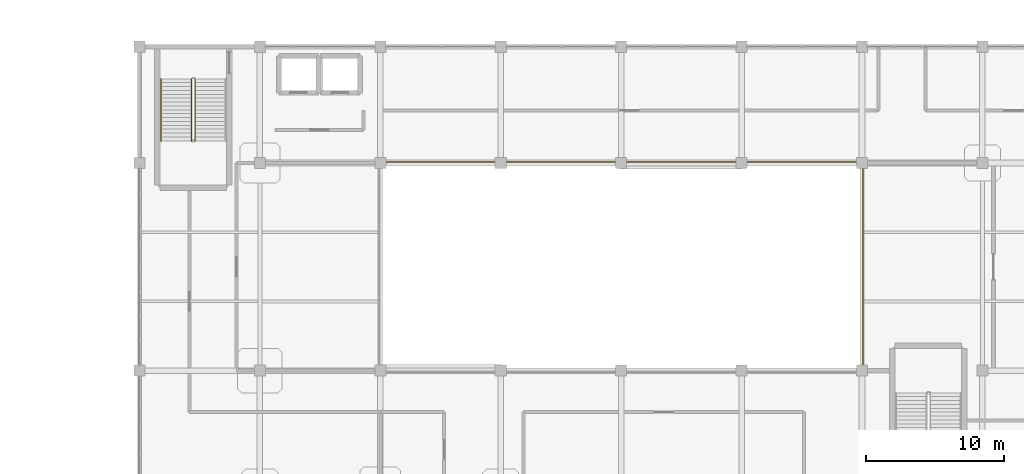
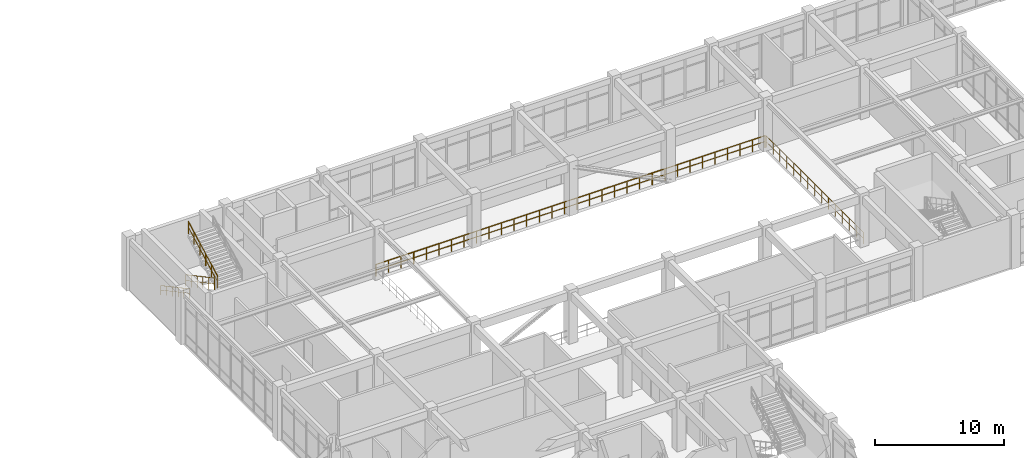
# One storey, part 92 of 96: 5 railings.
"""IFC4 building model written with IfcOpenShell, lengths in metres."""

from ifc_helpers import new_model, si_unit, derived_unit, direction, frame, origin, origin_2d, place, context, subcontext, project, spatial, circle, extrude, material, type_object, element, save


model = new_model("IFC4")

# Units and contexts
model_context = context("Model", 3, precision=1e-05, world=origin(), true_north=direction((0.0, 1.0)))
body_context = subcontext(model_context, "Body", "Model", "MODEL_VIEW")
ifc_project = project(units=[si_unit("LENGTHUNIT", "METRE"), si_unit("AREAUNIT", "SQUARE_METRE"), si_unit("VOLUMEUNIT", "CUBIC_METRE"), si_unit("PLANEANGLEUNIT", "RADIAN"), si_unit("MASSUNIT", "GRAM", prefix="KILO"), derived_unit("THERMALTRANSMITTANCEUNIT", [(si_unit("MASSUNIT", "GRAM", prefix="KILO"), 1), (si_unit("TIMEUNIT", "SECOND"), -3), (si_unit("THERMODYNAMICTEMPERATUREUNIT", "KELVIN"), -1)])], contexts=[model_context])

# Site, building, storey
site_placement = place(None, origin())
site = spatial("IfcSite", under=ifc_project, at=site_placement, CompositionType="ELEMENT")
building_placement = place(site_placement, origin())
building = spatial("IfcBuilding", under=site, at=building_placement, Name="Qinzheling Arcade Emporium", CompositionType="ELEMENT")
storey_placement = place(building_placement, frame((0.0, 0.0, 21.60009765625)))
storey = spatial("IfcBuildingStorey", under=building, at=storey_placement, Name="L05", CompositionType="ELEMENT", Elevation=21.60009765625)

# Railings
ifc_material_1 = material(Name="Galvanised powder-coated tubular steel", Category="steel")
railing_type_1 = type_object("IfcRailingType", Name="Painted Steel Stairwell Guard Railing 1150", PredefinedType="GUARDRAIL", material=ifc_material_1)
railing_1_placement = place(storey_placement, frame((38.570068359375, 71.47998046875, 0.14990234375)))
element("IfcRailing", 1, at=railing_1_placement, inside=storey, type_object=railing_type_1, Name="L05 ST03 stair guard 1", PredefinedType="GUARDRAIL", context=body_context, shape_type="SweptSolid", body=[
    extrude(circle(Radius=0.02392578125, at=origin_2d()), frame((0.0, 0.0, 1.1259765625), z_axis=(0.0, -0.881487111273, 0.472208081951), x_axis=(1.0, 0.0, 0.0)), (0.0, 0.0, 1.0), 5.082275390625),
    extrude(circle(Radius=0.01611328125, at=origin_2d()), frame((0.0, 0.0, 0.574951171875), z_axis=(0.0, -0.881487111273, 0.472208081951), x_axis=(1.0, 0.0, 0.0)), (0.0, 0.0, 1.0), 5.082275390625),
    extrude(circle(Radius=0.02099609375, at=origin_2d()), origin(), (0.0, 0.0, 1.0), 1.101806640625),
    extrude(circle(Radius=0.02099609375, at=origin_2d()), frame((0.0, -0.89599609375, 0.47998046875)), (0.0, 0.0, 1.0), 1.101806640625),
    extrude(circle(Radius=0.02099609375, at=origin_2d()), frame((0.0, -1.7919921875, 0.9599609375)), (0.0, 0.0, 1.0), 1.101806640625),
    extrude(circle(Radius=0.02099609375, at=origin_2d()), frame((0.0, -2.68798828125, 1.43994140625)), (0.0, 0.0, 1.0), 1.101806640625),
    extrude(circle(Radius=0.02099609375, at=origin_2d()), frame((0.0, -3.583984375, 1.919921875)), (0.0, 0.0, 1.0), 1.101806640625),
    extrude(circle(Radius=0.02099609375, at=origin_2d()), frame((0.0, -4.47998046875, 2.39990234375)), (0.0, 0.0, 1.0), 1.101806640625),
])
railing_2_placement = place(storey_placement, frame((38.820068359375, 67.0, 2.699951171875)))
element("IfcRailing", 2, at=railing_2_placement, inside=storey, type_object=railing_type_1, Name="L05 ST03 stair guard 3", PredefinedType="GUARDRAIL", context=body_context, shape_type="SweptSolid", body=[
    extrude(circle(Radius=0.02392578125, at=origin_2d()), frame((0.0, 0.0, 1.1259765625), z_axis=(0.0, 0.881487111273, 0.472208081951), x_axis=(-1.0, 0.0, 0.0)), (0.0, 0.0, 1.0), 5.082275390625),
    extrude(circle(Radius=0.01611328125, at=origin_2d()), frame((0.0, 0.0, 0.574951171875), z_axis=(0.0, 0.881487111273, 0.472208081951), x_axis=(-1.0, 0.0, 0.0)), (0.0, 0.0, 1.0), 5.082275390625),
    extrude(circle(Radius=0.02099609375, at=origin_2d()), origin(), (0.0, 0.0, 1.0), 1.101806640625),
    extrude(circle(Radius=0.02099609375, at=origin_2d()), frame((0.0, 0.89599609375, 0.47998046875)), (0.0, 0.0, 1.0), 1.101806640625),
    extrude(circle(Radius=0.02099609375, at=origin_2d()), frame((0.0, 1.7919921875, 0.9599609375)), (0.0, 0.0, 1.0), 1.101806640625),
    extrude(circle(Radius=0.02099609375, at=origin_2d()), frame((0.0, 2.68798828125, 1.43994140625)), (0.0, 0.0, 1.0), 1.101806640625),
    extrude(circle(Radius=0.02099609375, at=origin_2d()), frame((0.0, 3.583984375, 1.919921875)), (0.0, 0.0, 1.0), 1.101806640625),
    extrude(circle(Radius=0.02099609375, at=origin_2d()), frame((0.0, 4.47998046875, 2.39990234375)), (0.0, 0.0, 1.0), 1.101806640625),
])
railing_3_placement = place(storey_placement, frame((52.169921875, 65.47998046875, 0.0)))
element("IfcRailing", 3, at=railing_3_placement, inside=storey, type_object=railing_type_1, Name="Atrium Void Guard L05 N", PredefinedType="GUARDRAIL", context=body_context, shape_type="SweptSolid", body=[
    extrude(circle(Radius=0.02392578125, at=origin_2d()), frame((0.0, 0.0, 1.1259765625), z_axis=(1.0, 0.0, 0.0), x_axis=(0.0, 1.0, 0.0)), (0.0, 0.0, 1.0), 34.860107421875),
    extrude(circle(Radius=0.01611328125, at=origin_2d()), frame((0.0, 0.0, 0.574951171875), z_axis=(1.0, 0.0, 0.0), x_axis=(0.0, 1.0, 0.0)), (0.0, 0.0, 1.0), 34.860107421875),
    extrude(circle(Radius=0.02099609375, at=origin_2d()), origin(), (0.0, 0.0, 1.0), 1.101806640625),
    extrude(circle(Radius=0.02099609375, at=origin_2d()), frame((1.12451171875, 0.0, 0.0)), (0.0, 0.0, 1.0), 1.101806640625),
    extrude(circle(Radius=0.02099609375, at=origin_2d()), frame((2.2490234375, 0.0, 0.0)), (0.0, 0.0, 1.0), 1.101806640625),
    extrude(circle(Radius=0.02099609375, at=origin_2d()), frame((3.37353515625, 0.0, 0.0)), (0.0, 0.0, 1.0), 1.101806640625),
    extrude(circle(Radius=0.02099609375, at=origin_2d()), frame((4.498046875, 0.0, 0.0)), (0.0, 0.0, 1.0), 1.101806640625),
    extrude(circle(Radius=0.02099609375, at=origin_2d()), frame((5.62255859375, 0.0, 0.0)), (0.0, 0.0, 1.0), 1.101806640625),
    extrude(circle(Radius=0.02099609375, at=origin_2d()), frame((6.7470703125, 0.0, 0.0)), (0.0, 0.0, 1.0), 1.101806640625),
    extrude(circle(Radius=0.02099609375, at=origin_2d()), frame((7.87158203125, 0.0, 0.0)), (0.0, 0.0, 1.0), 1.101806640625),
    extrude(circle(Radius=0.02099609375, at=origin_2d()), frame((8.99609375, 0.0, 0.0)), (0.0, 0.0, 1.0), 1.101806640625),
    extrude(circle(Radius=0.02099609375, at=origin_2d()), frame((10.12060546875, 0.0, 0.0)), (0.0, 0.0, 1.0), 1.101806640625),
    extrude(circle(Radius=0.02099609375, at=origin_2d()), frame((11.2451171875, 0.0, 0.0)), (0.0, 0.0, 1.0), 1.101806640625),
    extrude(circle(Radius=0.02099609375, at=origin_2d()), frame((12.36962890625, 0.0, 0.0)), (0.0, 0.0, 1.0), 1.101806640625),
    extrude(circle(Radius=0.02099609375, at=origin_2d()), frame((13.494140625, 0.0, 0.0)), (0.0, 0.0, 1.0), 1.101806640625),
    extrude(circle(Radius=0.02099609375, at=origin_2d()), frame((14.61865234375, 0.0, 0.0)), (0.0, 0.0, 1.0), 1.101806640625),
    extrude(circle(Radius=0.02099609375, at=origin_2d()), frame((15.7431640625, 0.0, 0.0)), (0.0, 0.0, 1.0), 1.101806640625),
    extrude(circle(Radius=0.02099609375, at=origin_2d()), frame((16.86767578125, 0.0, 0.0)), (0.0, 0.0, 1.0), 1.101806640625),
    extrude(circle(Radius=0.02099609375, at=origin_2d()), frame((17.992431640625, 0.0, 0.0)), (0.0, 0.0, 1.0), 1.101806640625),
    extrude(circle(Radius=0.02099609375, at=origin_2d()), frame((19.116943359375, 0.0, 0.0)), (0.0, 0.0, 1.0), 1.101806640625),
    extrude(circle(Radius=0.02099609375, at=origin_2d()), frame((20.241455078125, 0.0, 0.0)), (0.0, 0.0, 1.0), 1.101806640625),
    extrude(circle(Radius=0.02099609375, at=origin_2d()), frame((21.365966796875, 0.0, 0.0)), (0.0, 0.0, 1.0), 1.101806640625),
    extrude(circle(Radius=0.02099609375, at=origin_2d()), frame((22.490478515625, 0.0, 0.0)), (0.0, 0.0, 1.0), 1.101806640625),
    extrude(circle(Radius=0.02099609375, at=origin_2d()), frame((23.614990234375, 0.0, 0.0)), (0.0, 0.0, 1.0), 1.101806640625),
    extrude(circle(Radius=0.02099609375, at=origin_2d()), frame((24.739501953125, 0.0, 0.0)), (0.0, 0.0, 1.0), 1.101806640625),
    extrude(circle(Radius=0.02099609375, at=origin_2d()), frame((25.864013671875, 0.0, 0.0)), (0.0, 0.0, 1.0), 1.101806640625),
    extrude(circle(Radius=0.02099609375, at=origin_2d()), frame((26.988525390625, 0.0, 0.0)), (0.0, 0.0, 1.0), 1.101806640625),
    extrude(circle(Radius=0.02099609375, at=origin_2d()), frame((28.113037109375, 0.0, 0.0)), (0.0, 0.0, 1.0), 1.101806640625),
    extrude(circle(Radius=0.02099609375, at=origin_2d()), frame((29.237548828125, 0.0, 0.0)), (0.0, 0.0, 1.0), 1.101806640625),
    extrude(circle(Radius=0.02099609375, at=origin_2d()), frame((30.362060546875, 0.0, 0.0)), (0.0, 0.0, 1.0), 1.101806640625),
    extrude(circle(Radius=0.02099609375, at=origin_2d()), frame((31.486572265625, 0.0, 0.0)), (0.0, 0.0, 1.0), 1.101806640625),
    extrude(circle(Radius=0.02099609375, at=origin_2d()), frame((32.611083984375, 0.0, 0.0)), (0.0, 0.0, 1.0), 1.101806640625),
    extrude(circle(Radius=0.02099609375, at=origin_2d()), frame((33.735595703125, 0.0, 0.0)), (0.0, 0.0, 1.0), 1.101806640625),
    extrude(circle(Radius=0.02099609375, at=origin_2d()), frame((34.860107421875, 0.0, 0.0)), (0.0, 0.0, 1.0), 1.101806640625),
])
railing_4_placement = place(storey_placement, frame((87.080078125, 50.3701171875, 0.0)))
element("IfcRailing", 4, at=railing_4_placement, inside=storey, type_object=railing_type_1, Name="Atrium Void Guard L05 E", PredefinedType="GUARDRAIL", context=body_context, shape_type="SweptSolid", body=[
    extrude(circle(Radius=0.02392578125, at=origin_2d()), frame((0.0, 0.0, 1.1259765625), z_axis=(0.0, 1.0, 0.0), x_axis=(-1.0, 0.0, 0.0)), (0.0, 0.0, 1.0), 15.059814453125),
    extrude(circle(Radius=0.01611328125, at=origin_2d()), frame((0.0, 0.0, 0.574951171875), z_axis=(0.0, 1.0, 0.0), x_axis=(-1.0, 0.0, 0.0)), (0.0, 0.0, 1.0), 15.059814453125),
    extrude(circle(Radius=0.02099609375, at=origin_2d()), origin(), (0.0, 0.0, 1.0), 1.101806640625),
    extrude(circle(Radius=0.02099609375, at=origin_2d()), frame((0.0, 1.07568359375, 0.0)), (0.0, 0.0, 1.0), 1.101806640625),
    extrude(circle(Radius=0.02099609375, at=origin_2d()), frame((0.0, 2.1513671875, 0.0)), (0.0, 0.0, 1.0), 1.101806640625),
    extrude(circle(Radius=0.02099609375, at=origin_2d()), frame((0.0, 3.22705078125, 0.0)), (0.0, 0.0, 1.0), 1.101806640625),
    extrude(circle(Radius=0.02099609375, at=origin_2d()), frame((0.0, 4.302734375, 0.0)), (0.0, 0.0, 1.0), 1.101806640625),
    extrude(circle(Radius=0.02099609375, at=origin_2d()), frame((0.0, 5.37841796875, 0.0)), (0.0, 0.0, 1.0), 1.101806640625),
    extrude(circle(Radius=0.02099609375, at=origin_2d()), frame((0.0, 6.4541015625, 0.0)), (0.0, 0.0, 1.0), 1.101806640625),
    extrude(circle(Radius=0.02099609375, at=origin_2d()), frame((0.0, 7.52978515625, 0.0)), (0.0, 0.0, 1.0), 1.101806640625),
    extrude(circle(Radius=0.02099609375, at=origin_2d()), frame((0.0, 8.605712890625, 0.0)), (0.0, 0.0, 1.0), 1.101806640625),
    extrude(circle(Radius=0.02099609375, at=origin_2d()), frame((0.0, 9.681396484375, 0.0)), (0.0, 0.0, 1.0), 1.101806640625),
    extrude(circle(Radius=0.02099609375, at=origin_2d()), frame((0.0, 10.757080078125, 0.0)), (0.0, 0.0, 1.0), 1.101806640625),
    extrude(circle(Radius=0.02099609375, at=origin_2d()), frame((0.0, 11.832763671875, 0.0)), (0.0, 0.0, 1.0), 1.101806640625),
    extrude(circle(Radius=0.02099609375, at=origin_2d()), frame((0.0, 12.908447265625, 0.0)), (0.0, 0.0, 1.0), 1.101806640625),
    extrude(circle(Radius=0.02099609375, at=origin_2d()), frame((0.0, 13.984130859375, 0.0)), (0.0, 0.0, 1.0), 1.101806640625),
    extrude(circle(Radius=0.02099609375, at=origin_2d()), frame((0.0, 15.059814453125, 0.0)), (0.0, 0.0, 1.0), 1.101806640625),
])
ifc_material_2 = material(Name="Brushed stainless steel 304", Category="steel")
railing_type_2 = type_object("IfcRailingType", Name="Stainless Steel Wall Handrail 900", PredefinedType="HANDRAIL", material=ifc_material_2)
railing_5_placement = place(storey_placement, frame((36.35009765625, 71.47998046875, 0.14990234375)))
element("IfcRailing", 5, at=railing_5_placement, inside=storey, type_object=railing_type_2, Name="L05 ST03 stair handrail 1", PredefinedType="HANDRAIL", context=body_context, shape_type="SweptSolid", body=[
    extrude(circle(Radius=0.02392578125, at=origin_2d()), frame((0.0, 0.0, 0.8759765625), z_axis=(0.0, -0.881487111273, 0.472208081951), x_axis=(1.0, 0.0, 0.0)), (0.0, 0.0, 1.0), 5.082275390625),
    extrude(circle(Radius=0.01611328125, at=origin_2d()), frame((0.0, 0.0, 0.449951171875), z_axis=(0.0, -0.881487111273, 0.472208081951), x_axis=(1.0, 0.0, 0.0)), (0.0, 0.0, 1.0), 5.082275390625),
    extrude(circle(Radius=0.02099609375, at=origin_2d()), origin(), (0.0, 0.0, 1.0), 0.851806640625),
    extrude(circle(Radius=0.02099609375, at=origin_2d()), frame((0.0, -0.89599609375, 0.47998046875)), (0.0, 0.0, 1.0), 0.851806640625),
    extrude(circle(Radius=0.02099609375, at=origin_2d()), frame((0.0, -1.7919921875, 0.9599609375)), (0.0, 0.0, 1.0), 0.851806640625),
    extrude(circle(Radius=0.02099609375, at=origin_2d()), frame((0.0, -2.68798828125, 1.43994140625)), (0.0, 0.0, 1.0), 0.851806640625),
    extrude(circle(Radius=0.02099609375, at=origin_2d()), frame((0.0, -3.583984375, 1.919921875)), (0.0, 0.0, 1.0), 0.851806640625),
    extrude(circle(Radius=0.02099609375, at=origin_2d()), frame((0.0, -4.47998046875, 2.39990234375)), (0.0, 0.0, 1.0), 0.851806640625),
])

save(model, "model.ifc")
